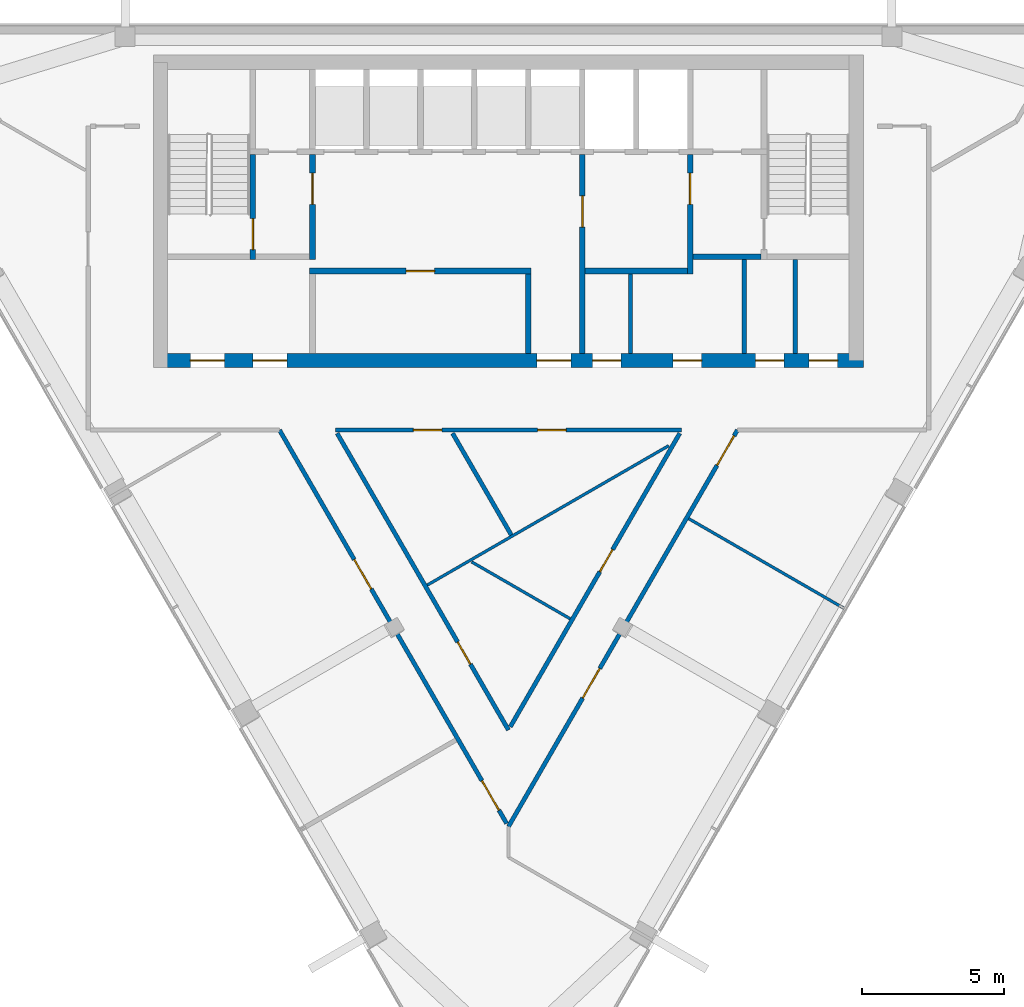
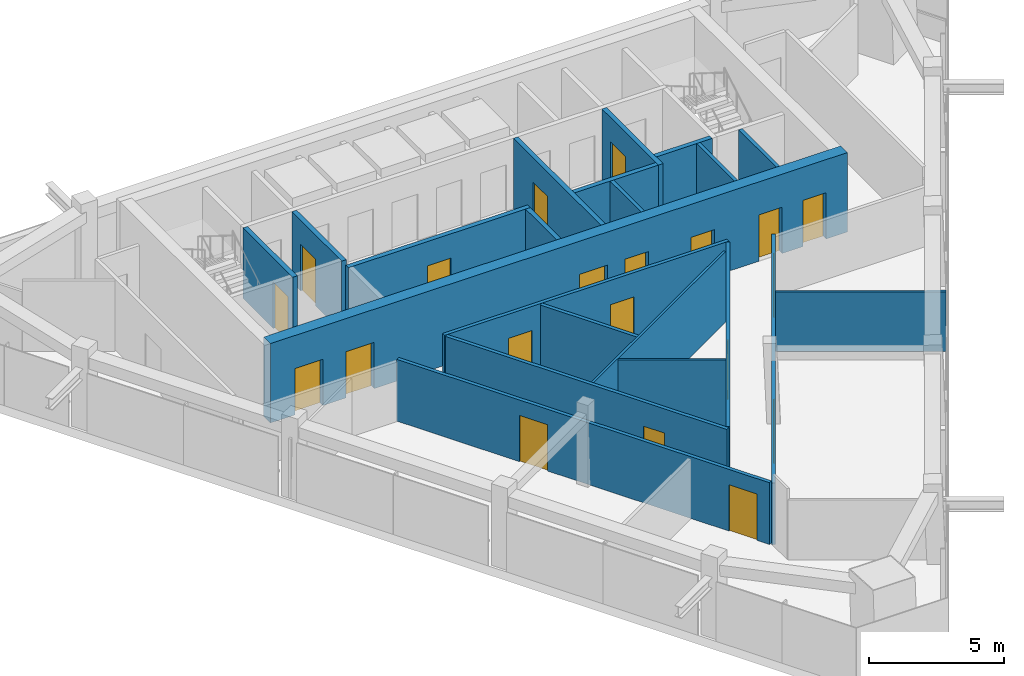
# One storey, part 6 of 9: 21 walls, 20 doors, 20 openings.
"""IFC4 building model written with IfcOpenShell, lengths in metres."""

from ifc_helpers import new_model, si_unit, direction, frame, frame_2d, origin, place, context, subcontext, project, spatial, rectangle, extrude, material, layer, layer_set, type_object, element, fill, save


model = new_model("IFC4")

# Units and contexts
model_context = context("Model", 3, precision=1e-05, world=origin(), true_north=direction((0.0, 1.0)))
body_context = subcontext(model_context, "Body", "Model", "MODEL_VIEW")
ifc_project = project(units=[si_unit("LENGTHUNIT", "METRE"), si_unit("AREAUNIT", "SQUARE_METRE"), si_unit("VOLUMEUNIT", "CUBIC_METRE"), si_unit("PLANEANGLEUNIT", "RADIAN"), si_unit("MASSUNIT", "GRAM", prefix="KILO")], contexts=[model_context])

# Site, building, storey
site_placement = place(None, origin())
site = spatial("IfcSite", under=ifc_project, at=site_placement, CompositionType="ELEMENT")
building_placement = place(site_placement, origin())
building = spatial("IfcBuilding", under=site, at=building_placement, Name="Altiplano Prism Tower", CompositionType="ELEMENT")
storey_placement = place(building_placement, frame((0.0, 0.0, 309.39990234375)))
storey = spatial("IfcBuildingStorey", under=building, at=storey_placement, Name="L80", CompositionType="ELEMENT", Elevation=309.39990234375)

# Wall, openings, doors
ifc_material_1 = material(Name="Concrete C60/75", Category="concrete")
ifc_layer_1 = layer(ifc_material_1, 0.5)
ifc_layer_set_1 = layer_set([ifc_layer_1], Name="Concrete C60/75")
wall_type_1 = type_object("IfcWallType", Name="Core wall 500", PredefinedType="SHEAR", material=ifc_layer_set_1)
wall_1_placement = place(storey_placement, frame((72.75, 93.14990234375, 0.0), z_axis=(0.0, 0.0, 1.0), x_axis=(1.0, 0.0, 0.0)))
wall_1 = element("IfcWall", 1, at=wall_1_placement, inside=storey, type_object=wall_type_1, Name="Core wall S L80", PredefinedType="SHEAR", context=body_context, shape_type="SweptSolid", body=[
    extrude(rectangle(XDim=24.75, YDim=0.5, at=frame_2d((12.375, 0.0))), origin(), (0.0, 0.0, 1.0), 3.60009765625),
])
opening_1_placement = place(wall_1_placement, frame((1.050048828125, 0.0, 0.0)))
opening_1 = element("IfcOpeningElement", 2, at=opening_1_placement, cuts=wall_1, Name="Opening D3713", PredefinedType="OPENING", context=body_context, shape_type="SweptSolid", body=[
    extrude(rectangle(XDim=1.199951171875, YDim=2.10009765625, at=frame_2d((0.60009765625, 1.050048828125))), frame((0.0, 0.260498046875, 0.0), z_axis=(0.0, -1.0, 0.0), x_axis=(1.0, 0.0, 0.0)), (0.0, 0.0, 1.0), 0.52099609375),
])
opening_2_placement = place(wall_1_placement, frame((3.25, 0.0, 0.0)))
opening_2 = element("IfcOpeningElement", 3, at=opening_2_placement, cuts=wall_1, Name="Opening D3714", PredefinedType="OPENING", context=body_context, shape_type="SweptSolid", body=[
    extrude(rectangle(XDim=1.199951171875, YDim=2.10009765625, at=frame_2d((0.60009765625, 1.050048828125))), frame((0.0, 0.260498046875, 0.0), z_axis=(0.0, -1.0, 0.0), x_axis=(1.0, 0.0, 0.0)), (0.0, 0.0, 1.0), 0.52099609375),
])
opening_3_placement = place(wall_1_placement, frame((13.25, 0.0, 0.0)))
opening_3 = element("IfcOpeningElement", 4, at=opening_3_placement, cuts=wall_1, Name="Opening D3715", PredefinedType="OPENING", context=body_context, shape_type="SweptSolid", body=[
    extrude(rectangle(XDim=1.199951171875, YDim=2.10009765625, at=frame_2d((0.60009765625, 1.050048828125))), frame((0.0, 0.260498046875, 0.0), z_axis=(0.0, -1.0, 0.0), x_axis=(1.0, 0.0, 0.0)), (0.0, 0.0, 1.0), 0.52099609375),
])
opening_4_placement = place(wall_1_placement, frame((15.21240234375, 0.0, 0.0)))
opening_4 = element("IfcOpeningElement", 5, at=opening_4_placement, cuts=wall_1, Name="Opening D3718", PredefinedType="OPENING", context=body_context, shape_type="SweptSolid", body=[
    extrude(rectangle(XDim=1.0, YDim=2.10009765625, at=frame_2d((0.5, 1.050048828125))), frame((0.0, 0.260498046875, 0.0), z_axis=(0.0, -1.0, 0.0), x_axis=(1.0, 0.0, 0.0)), (0.0, 0.0, 1.0), 0.52099609375),
])
opening_5_placement = place(wall_1_placement, frame((18.050048828125, 0.0, 0.0)))
opening_5 = element("IfcOpeningElement", 6, at=opening_5_placement, cuts=wall_1, Name="Opening D3719", PredefinedType="OPENING", context=body_context, shape_type="SweptSolid", body=[
    extrude(rectangle(XDim=1.0, YDim=2.10009765625, at=frame_2d((0.5, 1.050048828125))), frame((0.0, 0.260498046875, 0.0), z_axis=(0.0, -1.0, 0.0), x_axis=(1.0, 0.0, 0.0)), (0.0, 0.0, 1.0), 0.52099609375),
])
opening_6_placement = place(wall_1_placement, frame((20.949951171875, 0.0, 0.0)))
opening_6 = element("IfcOpeningElement", 7, at=opening_6_placement, cuts=wall_1, Name="Opening D3720", PredefinedType="OPENING", context=body_context, shape_type="SweptSolid", body=[
    extrude(rectangle(XDim=1.0, YDim=2.10009765625, at=frame_2d((0.5, 1.050048828125))), frame((0.0, 0.260498046875, 0.0), z_axis=(0.0, -1.0, 0.0), x_axis=(1.0, 0.0, 0.0)), (0.0, 0.0, 1.0), 0.52099609375),
])
opening_7_placement = place(wall_1_placement, frame((22.83740234375, 0.0, 0.0)))
opening_7 = element("IfcOpeningElement", 8, at=opening_7_placement, cuts=wall_1, Name="Opening D3721", PredefinedType="OPENING", context=body_context, shape_type="SweptSolid", body=[
    extrude(rectangle(XDim=1.0, YDim=2.10009765625, at=frame_2d((0.5, 1.050048828125))), frame((0.0, 0.260498046875, 0.0), z_axis=(0.0, -1.0, 0.0), x_axis=(1.0, 0.0, 0.0)), (0.0, 0.0, 1.0), 0.52099609375),
])
ifc_material_2 = material(Name="Fire-rated steel door", Category="steel")
door_type_1 = type_object("IfcDoorType", Name="Core room door 1000 x 2100", OperationType="NOTDEFINED", PredefinedType="NOTDEFINED", material=ifc_material_2)
door_1_placement = place(opening_4_placement, origin())
door_1 = element("IfcDoor", 9, at=door_1_placement, inside=storey, type_object=door_type_1, Name="Core room door D3718", OperationType="SINGLE_SWING_RIGHT", OverallHeight=2.10009765625, OverallWidth=1.0, PredefinedType="NOTDEFINED", context=body_context, shape_type="SweptSolid", body=[
    extrude(rectangle(XDim=1.0, YDim=2.10009765625, at=frame_2d((0.5, 1.050048828125))), frame((0.0, 0.02490234375, 0.0), z_axis=(0.0, -1.0, 0.0), x_axis=(1.0, 0.0, 0.0)), (0.0, 0.0, 1.0), 0.050048828125),
])
fill(opening_4, door_1)
door_2_placement = place(opening_5_placement, origin())
door_2 = element("IfcDoor", 10, at=door_2_placement, inside=storey, type_object=door_type_1, Name="Core room door D3719", OperationType="SINGLE_SWING_LEFT", OverallHeight=2.10009765625, OverallWidth=1.0, PredefinedType="NOTDEFINED", context=body_context, shape_type="SweptSolid", body=[
    extrude(rectangle(XDim=1.0, YDim=2.10009765625, at=frame_2d((0.5, 1.050048828125))), frame((0.0, 0.02490234375, 0.0), z_axis=(0.0, -1.0, 0.0), x_axis=(1.0, 0.0, 0.0)), (0.0, 0.0, 1.0), 0.050048828125),
])
fill(opening_5, door_2)
door_3_placement = place(opening_6_placement, origin())
door_3 = element("IfcDoor", 11, at=door_3_placement, inside=storey, type_object=door_type_1, Name="Core room door D3720", OperationType="SINGLE_SWING_RIGHT", OverallHeight=2.10009765625, OverallWidth=1.0, PredefinedType="NOTDEFINED", context=body_context, shape_type="SweptSolid", body=[
    extrude(rectangle(XDim=1.0, YDim=2.10009765625, at=frame_2d((0.5, 1.050048828125))), frame((0.0, 0.02490234375, 0.0), z_axis=(0.0, -1.0, 0.0), x_axis=(1.0, 0.0, 0.0)), (0.0, 0.0, 1.0), 0.050048828125),
])
fill(opening_6, door_3)
door_4_placement = place(opening_7_placement, origin())
door_4 = element("IfcDoor", 12, at=door_4_placement, inside=storey, type_object=door_type_1, Name="Core room door D3721", OperationType="SINGLE_SWING_LEFT", OverallHeight=2.10009765625, OverallWidth=1.0, PredefinedType="NOTDEFINED", context=body_context, shape_type="SweptSolid", body=[
    extrude(rectangle(XDim=1.0, YDim=2.10009765625, at=frame_2d((0.5, 1.050048828125))), frame((0.0, 0.02490234375, 0.0), z_axis=(0.0, -1.0, 0.0), x_axis=(1.0, 0.0, 0.0)), (0.0, 0.0, 1.0), 0.050048828125),
])
fill(opening_7, door_4)
door_type_2 = type_object("IfcDoorType", Name="Lobby fire door 1200 x 2100", OperationType="NOTDEFINED", PredefinedType="NOTDEFINED", material=ifc_material_2)
door_5_placement = place(opening_1_placement, origin())
door_5 = element("IfcDoor", 13, at=door_5_placement, inside=storey, type_object=door_type_2, Name="Lobby fire door D3713", OperationType="SINGLE_SWING_RIGHT", OverallHeight=2.10009765625, OverallWidth=1.199951171875, PredefinedType="NOTDEFINED", context=body_context, shape_type="SweptSolid", body=[
    extrude(rectangle(XDim=1.199951171875, YDim=2.10009765625, at=frame_2d((0.60009765625, 1.050048828125))), frame((0.0, 0.02490234375, 0.0), z_axis=(0.0, -1.0, 0.0), x_axis=(1.0, 0.0, 0.0)), (0.0, 0.0, 1.0), 0.050048828125),
])
fill(opening_1, door_5)
door_6_placement = place(opening_2_placement, origin())
door_6 = element("IfcDoor", 14, at=door_6_placement, inside=storey, type_object=door_type_2, Name="Lobby fire door D3714", OperationType="SINGLE_SWING_LEFT", OverallHeight=2.10009765625, OverallWidth=1.199951171875, PredefinedType="NOTDEFINED", context=body_context, shape_type="SweptSolid", body=[
    extrude(rectangle(XDim=1.199951171875, YDim=2.10009765625, at=frame_2d((0.60009765625, 1.050048828125))), frame((0.0, 0.02490234375, 0.0), z_axis=(0.0, -1.0, 0.0), x_axis=(1.0, 0.0, 0.0)), (0.0, 0.0, 1.0), 0.050048828125),
])
fill(opening_2, door_6)
door_7_placement = place(opening_3_placement, origin())
door_7 = element("IfcDoor", 15, at=door_7_placement, inside=storey, type_object=door_type_2, Name="Lobby fire door D3715", OperationType="SINGLE_SWING_RIGHT", OverallHeight=2.10009765625, OverallWidth=1.199951171875, PredefinedType="NOTDEFINED", context=body_context, shape_type="SweptSolid", body=[
    extrude(rectangle(XDim=1.199951171875, YDim=2.10009765625, at=frame_2d((0.60009765625, 1.050048828125))), frame((0.0, 0.02490234375, 0.0), z_axis=(0.0, -1.0, 0.0), x_axis=(1.0, 0.0, 0.0)), (0.0, 0.0, 1.0), 0.050048828125),
])
fill(opening_3, door_7)

# Walls
ifc_material_3 = material(Name="Plasterboard on steel stud", Category="steel")
ifc_layer_2 = layer(ifc_material_3, 0.10009765625)
ifc_layer_set_2 = layer_set([ifc_layer_2], Name="Plasterboard on steel stud")
wall_type_2 = type_object("IfcWallType", Name="Partition 100 wet", PredefinedType="PARTITIONING", material=ifc_layer_set_2)
wall_2_placement = place(storey_placement, frame((87.174560546875, 84.0546875, 0.0), z_axis=(0.0, 0.0, 1.0), x_axis=(-0.866018138487, 0.500012583653, 0.0)))
element("IfcWall", 16, at=wall_2_placement, inside=storey, type_object=wall_type_2, Name="Partition P03 L80 014", PredefinedType="PARTITIONING", context=body_context, shape_type="SweptSolid", body=[
    extrude(rectangle(XDim=4.00634765625, YDim=0.10009765625, at=frame_2d((2.003173828125, 0.0))), origin(), (0.0, 0.0, 1.0), 3.2001953125),
])
wall_3_placement = place(storey_placement, frame((90.64404296875, 90.150634765625, 0.0), z_axis=(0.0, 0.0, 1.0), x_axis=(-0.866026586771, -0.499997951001, 0.0)))
element("IfcWall", 17, at=wall_3_placement, inside=storey, type_object=wall_type_2, Name="Partition P03 L80 015", PredefinedType="PARTITIONING", context=body_context, shape_type="SweptSolid", body=[
    extrude(rectangle(XDim=9.81884765625, YDim=0.10009765625, at=frame_2d((4.909423828125, 0.0))), origin(), (0.0, 0.0, 1.0), 3.2001953125),
])
wall_4_placement = place(storey_placement, frame((96.8251953125, 84.418212890625, 0.0), z_axis=(0.0, 0.0, 1.0), x_axis=(-0.866032601554, 0.49998753289, 0.0)))
element("IfcWall", 18, at=wall_4_placement, inside=storey, type_object=wall_type_2, Name="Partition P03 L80 022", PredefinedType="PARTITIONING", context=body_context, shape_type="SweptSolid", body=[
    extrude(rectangle(XDim=6.324951171875, YDim=0.10009765625, at=frame_2d((3.16259765625, 0.0))), origin(), (0.0, 0.0, 1.0), 2.7001953125),
])

# Wall, opening, door
ifc_layer_3 = layer(ifc_material_3, 0.14990234375)
ifc_layer_set_3 = layer_set([ifc_layer_3], Name="Plasterboard on steel stud")
wall_type_3 = type_object("IfcWallType", Name="Partition 150 corridor", PredefinedType="PARTITIONING", material=ifc_layer_set_3)
wall_5_placement = place(storey_placement, frame((91.0322265625, 90.58642578125, 0.0), z_axis=(0.0, 0.0, 1.0), x_axis=(-0.499998102972, -0.866026499031, 0.0)))
wall_5 = element("IfcWall", 19, at=wall_5_placement, inside=storey, type_object=wall_type_3, Name="Partition P06 L80 001", PredefinedType="PARTITIONING", context=body_context, shape_type="SweptSolid", body=[
    extrude(rectangle(XDim=11.9345703125, YDim=0.14990234375, at=frame_2d((5.96728515625, 0.0))), origin(), (0.0, 0.0, 1.0), 3.2001953125),
])
opening_8_placement = place(wall_5_placement, frame((4.72900390625, 0.0, 0.0)))
opening_8 = element("IfcOpeningElement", 20, at=opening_8_placement, cuts=wall_5, Name="Opening D2381", PredefinedType="OPENING", context=body_context, shape_type="SweptSolid", body=[
    extrude(rectangle(XDim=0.89990234375, YDim=2.10009765625, at=frame_2d((0.449951171875, 1.050048828125))), frame((0.0, 0.08544921875, 0.0), z_axis=(0.0, -1.0, 0.0), x_axis=(1.0, 0.0, 0.0)), (0.0, 0.0, 1.0), 0.1708984375),
])
ifc_material_4 = material(Name="Timber", Category="wood")
door_type_3 = type_object("IfcDoorType", Name="Toilet door 900 x 2100", OperationType="NOTDEFINED", PredefinedType="NOTDEFINED", material=ifc_material_4)
door_8_placement = place(opening_8_placement, origin())
door_8 = element("IfcDoor", 21, at=door_8_placement, inside=storey, type_object=door_type_3, Name="Door D2381", OperationType="SINGLE_SWING_RIGHT", OverallHeight=2.10009765625, OverallWidth=0.89990234375, PredefinedType="NOTDEFINED", context=body_context, shape_type="SweptSolid", body=[
    extrude(rectangle(XDim=0.89990234375, YDim=2.10009765625, at=frame_2d((0.449951171875, 1.050048828125))), frame((0.0, 0.02490234375, 0.0), z_axis=(0.0, -1.0, 0.0), x_axis=(1.0, 0.0, 0.0)), (0.0, 0.0, 1.0), 0.050048828125),
])
fill(opening_8, door_8)

# Wall, openings, doors
wall_6_placement = place(storey_placement, frame((76.93798828125, 90.699951171875, 0.0), z_axis=(0.0, 0.0, 1.0), x_axis=(0.500006981563, -0.86602137294, 0.0)))
wall_6 = element("IfcWall", 22, at=wall_6_placement, inside=storey, type_object=wall_type_3, Name="Partition P06 L80 005", PredefinedType="PARTITIONING", context=body_context, shape_type="SweptSolid", body=[
    extrude(rectangle(XDim=15.993896484375, YDim=0.14990234375, at=frame_2d((7.9970703125, 0.0))), origin(), (0.0, 0.0, 1.0), 2.800048828125),
])
opening_9_placement = place(wall_6_placement, frame((5.264892578125, 0.0, 0.0)))
opening_9 = element("IfcOpeningElement", 23, at=opening_9_placement, cuts=wall_6, Name="Opening D2383", PredefinedType="OPENING", context=body_context, shape_type="SweptSolid", body=[
    extrude(rectangle(XDim=1.199951171875, YDim=2.10009765625, at=frame_2d((0.60009765625, 1.050048828125))), frame((0.0, 0.08544921875, 0.0), z_axis=(0.0, -1.0, 0.0), x_axis=(1.0, 0.0, 0.0)), (0.0, 0.0, 1.0), 0.1708984375),
])
opening_10_placement = place(wall_6_placement, frame((14.257080078125, 0.0, 0.0)))
opening_10 = element("IfcOpeningElement", 24, at=opening_10_placement, cuts=wall_6, Name="Opening D2384", PredefinedType="OPENING", context=body_context, shape_type="SweptSolid", body=[
    extrude(rectangle(XDim=1.199951171875, YDim=2.10009765625, at=frame_2d((0.60009765625, 1.050048828125))), frame((0.0, 0.08544921875, 0.0), z_axis=(0.0, -1.0, 0.0), x_axis=(1.0, 0.0, 0.0)), (0.0, 0.0, 1.0), 0.1708984375),
])
door_type_4 = type_object("IfcDoorType", Name="Shared room door 1200 x 2100", OperationType="NOTDEFINED", PredefinedType="NOTDEFINED", material=ifc_material_4)
door_9_placement = place(opening_9_placement, origin())
door_9 = element("IfcDoor", 25, at=door_9_placement, inside=storey, type_object=door_type_4, Name="Door D2383", OperationType="SINGLE_SWING_RIGHT", OverallHeight=2.10009765625, OverallWidth=1.199951171875, PredefinedType="NOTDEFINED", context=body_context, shape_type="SweptSolid", body=[
    extrude(rectangle(XDim=1.199951171875, YDim=2.10009765625, at=frame_2d((0.60009765625, 1.050048828125))), frame((0.0, 0.02490234375, 0.0), z_axis=(0.0, -1.0, 0.0), x_axis=(1.0, 0.0, 0.0)), (0.0, 0.0, 1.0), 0.050048828125),
])
fill(opening_9, door_9)
door_10_placement = place(opening_10_placement, origin())
door_10 = element("IfcDoor", 26, at=door_10_placement, inside=storey, type_object=door_type_4, Name="Door D2384", OperationType="SINGLE_SWING_RIGHT", OverallHeight=2.10009765625, OverallWidth=1.199951171875, PredefinedType="NOTDEFINED", context=body_context, shape_type="SweptSolid", body=[
    extrude(rectangle(XDim=1.199951171875, YDim=2.10009765625, at=frame_2d((0.60009765625, 1.050048828125))), frame((0.0, 0.02490234375, 0.0), z_axis=(0.0, -1.0, 0.0), x_axis=(1.0, 0.0, 0.0)), (0.0, 0.0, 1.0), 0.050048828125),
])
fill(opening_10, door_10)

wall_7_placement = place(storey_placement, frame((85.0, 76.736328125, 0.0), z_axis=(0.0, 0.0, 1.0), x_axis=(0.500005125646, 0.866022444471, 0.0)))
wall_7 = element("IfcWall", 27, at=wall_7_placement, inside=storey, type_object=wall_type_3, Name="Partition P06 L80 006", PredefinedType="PARTITIONING", context=body_context, shape_type="SweptSolid", body=[
    extrude(rectangle(XDim=16.123779296875, YDim=0.14990234375, at=frame_2d((8.06201171875, 0.0))), origin(), (0.0, 0.0, 1.0), 2.800048828125),
])
opening_11_placement = place(wall_7_placement, frame((5.23388671875, 0.0, 0.0)))
opening_11 = element("IfcOpeningElement", 28, at=opening_11_placement, cuts=wall_7, Name="Opening D2385", PredefinedType="OPENING", context=body_context, shape_type="SweptSolid", body=[
    extrude(rectangle(XDim=1.199951171875, YDim=2.10009765625, at=frame_2d((0.60009765625, 1.050048828125))), frame((0.0, 0.08544921875, 0.0), z_axis=(0.0, -1.0, 0.0), x_axis=(1.0, 0.0, 0.0)), (0.0, 0.0, 1.0), 0.1708984375),
])
opening_12_placement = place(wall_7_placement, frame((14.69091796875, 0.0, 0.0)))
opening_12 = element("IfcOpeningElement", 29, at=opening_12_placement, cuts=wall_7, Name="Opening D2386", PredefinedType="OPENING", context=body_context, shape_type="SweptSolid", body=[
    extrude(rectangle(XDim=1.199951171875, YDim=2.10009765625, at=frame_2d((0.60009765625, 1.050048828125))), frame((0.0, 0.08544921875, 0.0), z_axis=(0.0, -1.0, 0.0), x_axis=(1.0, 0.0, 0.0)), (0.0, 0.0, 1.0), 0.1708984375),
])
door_11_placement = place(opening_11_placement, origin())
door_11 = element("IfcDoor", 30, at=door_11_placement, inside=storey, type_object=door_type_4, Name="Door D2385", OperationType="SINGLE_SWING_LEFT", OverallHeight=2.10009765625, OverallWidth=1.199951171875, PredefinedType="NOTDEFINED", context=body_context, shape_type="SweptSolid", body=[
    extrude(rectangle(XDim=1.199951171875, YDim=2.10009765625, at=frame_2d((0.60009765625, 1.050048828125))), frame((0.0, 0.02490234375, 0.0), z_axis=(0.0, -1.0, 0.0), x_axis=(1.0, 0.0, 0.0)), (0.0, 0.0, 1.0), 0.050048828125),
])
fill(opening_11, door_11)
door_12_placement = place(opening_12_placement, origin())
door_12 = element("IfcDoor", 31, at=door_12_placement, inside=storey, type_object=door_type_4, Name="Door D2386", OperationType="SINGLE_SWING_RIGHT", OverallHeight=2.10009765625, OverallWidth=1.199951171875, PredefinedType="NOTDEFINED", context=body_context, shape_type="SweptSolid", body=[
    extrude(rectangle(XDim=1.199951171875, YDim=2.10009765625, at=frame_2d((0.60009765625, 1.050048828125))), frame((0.0, 0.02490234375, 0.0), z_axis=(0.0, -1.0, 0.0), x_axis=(1.0, 0.0, 0.0)), (0.0, 0.0, 1.0), 0.050048828125),
])
fill(opening_12, door_12)

# Wall, opening, door
wall_8_placement = place(storey_placement, frame((85.0, 80.138427734375, 0.0), z_axis=(0.0, 0.0, 1.0), x_axis=(-0.500004480819, 0.866022816767, 0.0)))
wall_8 = element("IfcWall", 32, at=wall_8_placement, inside=storey, type_object=wall_type_3, Name="Partition P06 L80 012", PredefinedType="PARTITIONING", context=body_context, shape_type="SweptSolid", body=[
    extrude(rectangle(XDim=12.064453125, YDim=0.14990234375, at=frame_2d((6.0322265625, 0.0))), origin(), (0.0, 0.0, 1.0), 3.2001953125),
])
opening_13_placement = place(wall_8_placement, frame((2.678955078125, 0.0, 0.0)))
opening_13 = element("IfcOpeningElement", 33, at=opening_13_placement, cuts=wall_8, Name="Opening D2380", PredefinedType="OPENING", context=body_context, shape_type="SweptSolid", body=[
    extrude(rectangle(XDim=0.89990234375, YDim=2.10009765625, at=frame_2d((0.449951171875, 1.050048828125))), frame((0.0, 0.08544921875, 0.0), z_axis=(0.0, -1.0, 0.0), x_axis=(1.0, 0.0, 0.0)), (0.0, 0.0, 1.0), 0.1708984375),
])
door_13_placement = place(opening_13_placement, origin())
door_13 = element("IfcDoor", 34, at=door_13_placement, inside=storey, type_object=door_type_3, Name="Door D2380", OperationType="SINGLE_SWING_RIGHT", OverallHeight=2.10009765625, OverallWidth=0.89990234375, PredefinedType="NOTDEFINED", context=body_context, shape_type="SweptSolid", body=[
    extrude(rectangle(XDim=0.89990234375, YDim=2.10009765625, at=frame_2d((0.449951171875, 1.050048828125))), frame((0.0, 0.02490234375, 0.0), z_axis=(0.0, -1.0, 0.0), x_axis=(1.0, 0.0, 0.0)), (0.0, 0.0, 1.0), 0.050048828125),
])
fill(opening_13, door_13)

# Wall, openings, doors
wall_9_placement = place(storey_placement, frame((78.90283203125, 90.698974609375, 0.0), z_axis=(0.0, 0.0, 1.0), x_axis=(1.0, 0.0, 0.0)))
wall_9 = element("IfcWall", 35, at=wall_9_placement, inside=storey, type_object=wall_type_3, Name="Partition P06 L80 013", PredefinedType="PARTITIONING", context=body_context, shape_type="SweptSolid", body=[
    extrude(rectangle(XDim=12.1943359375, YDim=0.14990234375, at=frame_2d((6.09716796875, 0.0))), origin(), (0.0, 0.0, 1.0), 3.2001953125),
])
opening_14_placement = place(wall_9_placement, frame((2.751953125, 0.0, 0.0)))
opening_14 = element("IfcOpeningElement", 36, at=opening_14_placement, cuts=wall_9, Name="Opening D2389", PredefinedType="OPENING", context=body_context, shape_type="SweptSolid", body=[
    extrude(rectangle(XDim=1.0, YDim=2.10009765625, at=frame_2d((0.5, 1.050048828125))), frame((0.0, 0.08544921875, 0.0), z_axis=(0.0, -1.0, 0.0), x_axis=(1.0, 0.0, 0.0)), (0.0, 0.0, 1.0), 0.1708984375),
])
opening_15_placement = place(wall_9_placement, frame((7.1279296875, 0.0, 0.0)))
opening_15 = element("IfcOpeningElement", 37, at=opening_15_placement, cuts=wall_9, Name="Opening D2390", PredefinedType="OPENING", context=body_context, shape_type="SweptSolid", body=[
    extrude(rectangle(XDim=1.0, YDim=2.10009765625, at=frame_2d((0.5, 1.050048828125))), frame((0.0, 0.08544921875, 0.0), z_axis=(0.0, -1.0, 0.0), x_axis=(1.0, 0.0, 0.0)), (0.0, 0.0, 1.0), 0.1708984375),
])
door_type_5 = type_object("IfcDoorType", Name="Room door 1000 x 2100", OperationType="NOTDEFINED", PredefinedType="NOTDEFINED", material=ifc_material_4)
door_14_placement = place(opening_14_placement, origin())
door_14 = element("IfcDoor", 38, at=door_14_placement, inside=storey, type_object=door_type_5, Name="Door D2389", OperationType="SINGLE_SWING_LEFT", OverallHeight=2.10009765625, OverallWidth=1.0, PredefinedType="NOTDEFINED", context=body_context, shape_type="SweptSolid", body=[
    extrude(rectangle(XDim=1.0, YDim=2.10009765625, at=frame_2d((0.5, 1.050048828125))), frame((0.0, 0.02490234375, 0.0), z_axis=(0.0, -1.0, 0.0), x_axis=(1.0, 0.0, 0.0)), (0.0, 0.0, 1.0), 0.050048828125),
])
fill(opening_14, door_14)
door_type_6 = type_object("IfcDoorType", Name="Store door 1000 x 2100", OperationType="NOTDEFINED", PredefinedType="NOTDEFINED", material=ifc_material_4)
door_15_placement = place(opening_15_placement, origin())
door_15 = element("IfcDoor", 39, at=door_15_placement, inside=storey, type_object=door_type_6, Name="Door D2390", OperationType="SINGLE_SWING_LEFT", OverallHeight=2.10009765625, OverallWidth=1.0, PredefinedType="NOTDEFINED", context=body_context, shape_type="SweptSolid", body=[
    extrude(rectangle(XDim=1.0, YDim=2.10009765625, at=frame_2d((0.5, 1.050048828125))), frame((0.0, 0.02490234375, 0.0), z_axis=(0.0, -1.0, 0.0), x_axis=(1.0, 0.0, 0.0)), (0.0, 0.0, 1.0), 0.050048828125),
])
fill(opening_15, door_15)

# Walls
ifc_layer_4 = layer(ifc_material_3, 0.14990234375)
ifc_layer_set_4 = layer_set([ifc_layer_4], Name="Plasterboard on steel stud")
wall_type_4 = type_object("IfcWallType", Name="Partition 150 party", PredefinedType="PARTITIONING", material=ifc_layer_set_4)
wall_10_placement = place(storey_placement, frame((85.099365234375, 87.007080078125, 0.0), z_axis=(0.0, 0.0, 1.0), x_axis=(-0.500020720004, 0.866013440754, 0.0)))
element("IfcWall", 40, at=wall_10_placement, inside=storey, type_object=wall_type_4, Name="Partition P01 L80 025", PredefinedType="PARTITIONING", context=body_context, shape_type="SweptSolid", body=[
    extrude(rectangle(XDim=4.133056640625, YDim=0.14990234375, at=frame_2d((2.06640625, 0.0))), origin(), (0.0, 0.0, 1.0), 3.2001953125),
])
ifc_material_5 = material(Name="Fire-rated gypsum board partition")
ifc_layer_5 = layer(ifc_material_5, 0.14990234375)
ifc_layer_set_5 = layer_set([ifc_layer_5], Name="Fire-rated gypsum board partition")
wall_type_5 = type_object("IfcWallType", Name="Room partition 150", PredefinedType="PARTITIONING", material=ifc_layer_set_5)
wall_11_placement = place(storey_placement, frame((89.300048828125, 93.39990234375, 0.0), z_axis=(0.0, 0.0, 1.0), x_axis=(0.0, 1.0, 0.0)))
element("IfcWall", 41, at=wall_11_placement, inside=storey, type_object=wall_type_5, Name="Room partition L80", PredefinedType="PARTITIONING", context=body_context, shape_type="SweptSolid", body=[
    extrude(rectangle(XDim=2.800048828125, YDim=0.14990234375, at=frame_2d((1.39990234375, 0.0))), origin(), (0.0, 0.0, 1.0), 3.2001953125),
])
for number, where, z_axis, x_axis, name in (
    (42, (93.300048828125, 93.39990234375, 0.0), (0.0, 0.0, 1.0), (0.0, 1.0, 0.0), "Room partition L80"),
    (43, (95.10009765625, 93.39990234375, 0.0), (0.0, 0.0, 1.0), (0.0, 1.0, 0.0), "Room partition L80"),
):
    element("IfcWall", number, at=place(storey_placement, frame(where, z_axis=z_axis, x_axis=x_axis)), inside=storey, type_object=wall_type_5, Name=name, PredefinedType="PARTITIONING", context=body_context, shape_type="SweptSolid", body=[
        extrude(rectangle(XDim=3.300048828125, YDim=0.14990234375, at=frame_2d((1.64990234375, 0.0))), origin(), (0.0, 0.0, 1.0), 3.2001953125),
    ])

# Wall, opening, door
ifc_layer_6 = layer(ifc_material_1, 0.199951171875)
ifc_layer_set_6 = layer_set([ifc_layer_6], Name="Concrete C60/75")
wall_type_6 = type_object("IfcWallType", Name="Stair wall 200", PredefinedType="SOLIDWALL", material=ifc_layer_set_6)
wall_12_placement = place(storey_placement, frame((76.0, 96.699951171875, 0.0), z_axis=(0.0, 0.0, 1.0), x_axis=(0.0, 1.0, 0.0)))
wall_12 = element("IfcWall", 44, at=wall_12_placement, inside=storey, type_object=wall_type_6, Name="Stair wall L80", PredefinedType="SOLIDWALL", context=body_context, shape_type="SweptSolid", body=[
    extrude(rectangle(XDim=3.699951171875, YDim=0.199951171875, at=frame_2d((1.85009765625, 0.0))), origin(), (0.0, 0.0, 1.0), 3.2001953125),
])
opening_16_placement = place(wall_12_placement, frame((0.35009765625, 0.0, 0.0)))
opening_16 = element("IfcOpeningElement", 45, at=opening_16_placement, cuts=wall_12, Name="Opening D3708", PredefinedType="OPENING", context=body_context, shape_type="SweptSolid", body=[
    extrude(rectangle(XDim=1.10009765625, YDim=2.10009765625, at=frame_2d((0.550048828125, 1.050048828125))), frame((0.0, 0.1103515625, 0.0), z_axis=(0.0, -1.0, 0.0), x_axis=(1.0, 0.0, 0.0)), (0.0, 0.0, 1.0), 0.220947265625),
])
door_type_7 = type_object("IfcDoorType", Name="Stair fire door 1100 x 2100", OperationType="NOTDEFINED", PredefinedType="NOTDEFINED", material=ifc_material_2)
door_16_placement = place(opening_16_placement, origin())
door_16 = element("IfcDoor", 46, at=door_16_placement, inside=storey, type_object=door_type_7, Name="Stair fire door D3708", OperationType="SINGLE_SWING_RIGHT", OverallHeight=2.10009765625, OverallWidth=1.10009765625, PredefinedType="NOTDEFINED", context=body_context, shape_type="SweptSolid", body=[
    extrude(rectangle(XDim=1.10009765625, YDim=2.10009765625, at=frame_2d((0.550048828125, 1.050048828125))), frame((0.0, 0.02490234375, 0.0), z_axis=(0.0, -1.0, 0.0), x_axis=(1.0, 0.0, 0.0)), (0.0, 0.0, 1.0), 0.050048828125),
])
fill(opening_16, door_16)

# Wall
ifc_layer_7 = layer(ifc_material_1, 0.199951171875)
ifc_layer_set_7 = layer_set([ifc_layer_7], Name="Concrete C60/75")
wall_type_7 = type_object("IfcWallType", Name="Vestibule wall 200", PredefinedType="PARTITIONING", material=ifc_layer_set_7)
wall_13_placement = place(storey_placement, frame((85.699951171875, 93.39990234375, 0.0), z_axis=(0.0, 0.0, 1.0), x_axis=(0.0, 1.0, 0.0)))
element("IfcWall", 47, at=wall_13_placement, inside=storey, type_object=wall_type_7, Name="Vestibule wall L80", PredefinedType="PARTITIONING", context=body_context, shape_type="SweptSolid", body=[
    extrude(rectangle(XDim=2.800048828125, YDim=0.199951171875, at=frame_2d((1.39990234375, 0.0))), origin(), (0.0, 0.0, 1.0), 3.2001953125),
])

# Wall, opening, door
wall_14_placement = place(storey_placement, frame((87.60009765625, 93.39990234375, 0.0), z_axis=(0.0, 0.0, 1.0), x_axis=(0.0, 1.0, 0.0)))
wall_14 = element("IfcWall", 48, at=wall_14_placement, inside=storey, type_object=wall_type_7, Name="Vestibule wall L80", PredefinedType="PARTITIONING", context=body_context, shape_type="SweptSolid", body=[
    extrude(rectangle(XDim=7.0, YDim=0.199951171875, at=frame_2d((3.5, 0.0))), origin(), (0.0, 0.0, 1.0), 3.2001953125),
])
opening_17_placement = place(wall_14_placement, frame((4.449951171875, 0.0, 0.0)))
opening_17 = element("IfcOpeningElement", 49, at=opening_17_placement, cuts=wall_14, Name="Opening D3711", PredefinedType="OPENING", context=body_context, shape_type="SweptSolid", body=[
    extrude(rectangle(XDim=1.10009765625, YDim=2.10009765625, at=frame_2d((0.550048828125, 1.050048828125))), frame((0.0, 0.1103515625, 0.0), z_axis=(0.0, -1.0, 0.0), x_axis=(1.0, 0.0, 0.0)), (0.0, 0.0, 1.0), 0.220947265625),
])
door_type_8 = type_object("IfcDoorType", Name="Vestibule fire door 1100 x 2100", OperationType="NOTDEFINED", PredefinedType="NOTDEFINED", material=ifc_material_2)
door_17_placement = place(opening_17_placement, origin())
door_17 = element("IfcDoor", 50, at=door_17_placement, inside=storey, type_object=door_type_8, Name="Vestibule fire door D3711", OperationType="SINGLE_SWING_RIGHT", OverallHeight=2.10009765625, OverallWidth=1.10009765625, PredefinedType="NOTDEFINED", context=body_context, shape_type="SweptSolid", body=[
    extrude(rectangle(XDim=1.10009765625, YDim=2.10009765625, at=frame_2d((0.550048828125, 1.050048828125))), frame((0.0, 0.02490234375, 0.0), z_axis=(0.0, -1.0, 0.0), x_axis=(1.0, 0.0, 0.0)), (0.0, 0.0, 1.0), 0.050048828125),
])
fill(opening_17, door_17)

wall_15_placement = place(storey_placement, frame((78.0, 96.300048828125, 0.0), z_axis=(0.0, 0.0, 1.0), x_axis=(1.0, 0.0, 0.0)))
wall_15 = element("IfcWall", 51, at=wall_15_placement, inside=storey, type_object=wall_type_7, Name="Vestibule wall L80", PredefinedType="PARTITIONING", context=body_context, shape_type="SweptSolid", body=[
    extrude(rectangle(XDim=7.800048828125, YDim=0.199951171875, at=frame_2d((3.89990234375, 0.0))), origin(), (0.0, 0.0, 1.0), 3.2001953125),
])
opening_18_placement = place(wall_15_placement, frame((3.39990234375, 0.0, 0.0)))
opening_18 = element("IfcOpeningElement", 52, at=opening_18_placement, cuts=wall_15, Name="Opening D3722", PredefinedType="OPENING", context=body_context, shape_type="SweptSolid", body=[
    extrude(rectangle(XDim=1.0, YDim=2.10009765625, at=frame_2d((0.5, 1.050048828125))), frame((0.0, 0.1103515625, 0.0), z_axis=(0.0, -1.0, 0.0), x_axis=(1.0, 0.0, 0.0)), (0.0, 0.0, 1.0), 0.220947265625),
])
door_18_placement = place(opening_18_placement, origin())
door_18 = element("IfcDoor", 53, at=door_18_placement, inside=storey, type_object=door_type_1, Name="Core room door D3722", OperationType="SINGLE_SWING_RIGHT", OverallHeight=2.10009765625, OverallWidth=1.0, PredefinedType="NOTDEFINED", context=body_context, shape_type="SweptSolid", body=[
    extrude(rectangle(XDim=1.0, YDim=2.10009765625, at=frame_2d((0.5, 1.050048828125))), frame((0.0, 0.02490234375, 0.0), z_axis=(0.0, -1.0, 0.0), x_axis=(1.0, 0.0, 0.0)), (0.0, 0.0, 1.0), 0.050048828125),
])
fill(opening_18, door_18)

# Wall
wall_16_placement = place(storey_placement, frame((87.699951171875, 96.300048828125, 0.0), z_axis=(0.0, 0.0, 1.0), x_axis=(1.0, 0.0, 0.0)))
element("IfcWall", 54, at=wall_16_placement, inside=storey, type_object=wall_type_7, Name="Vestibule wall L80", PredefinedType="PARTITIONING", context=body_context, shape_type="SweptSolid", body=[
    extrude(rectangle(XDim=3.60009765625, YDim=0.199951171875, at=frame_2d((1.800048828125, 0.0))), origin(), (0.0, 0.0, 1.0), 3.2001953125),
])

# Wall, opening, door
wall_17_placement = place(storey_placement, frame((91.39990234375, 96.199951171875, 0.0), z_axis=(0.0, 0.0, 1.0), x_axis=(0.0, 1.0, 0.0)))
wall_17 = element("IfcWall", 55, at=wall_17_placement, inside=storey, type_object=wall_type_7, Name="Vestibule wall L80", PredefinedType="PARTITIONING", context=body_context, shape_type="SweptSolid", body=[
    extrude(rectangle(XDim=4.199951171875, YDim=0.199951171875, at=frame_2d((2.10009765625, 0.0))), origin(), (0.0, 0.0, 1.0), 3.2001953125),
])
opening_19_placement = place(wall_17_placement, frame((2.449951171875, 0.0, 0.0)))
opening_19 = element("IfcOpeningElement", 56, at=opening_19_placement, cuts=wall_17, Name="Opening D3712", PredefinedType="OPENING", context=body_context, shape_type="SweptSolid", body=[
    extrude(rectangle(XDim=1.10009765625, YDim=2.10009765625, at=frame_2d((0.550048828125, 1.050048828125))), frame((0.0, 0.1103515625, 0.0), z_axis=(0.0, -1.0, 0.0), x_axis=(1.0, 0.0, 0.0)), (0.0, 0.0, 1.0), 0.220947265625),
])
door_19_placement = place(opening_19_placement, origin())
door_19 = element("IfcDoor", 57, at=door_19_placement, inside=storey, type_object=door_type_8, Name="Vestibule fire door D3712", OperationType="SINGLE_SWING_LEFT", OverallHeight=2.10009765625, OverallWidth=1.10009765625, PredefinedType="NOTDEFINED", context=body_context, shape_type="SweptSolid", body=[
    extrude(rectangle(XDim=1.10009765625, YDim=2.10009765625, at=frame_2d((0.550048828125, 1.050048828125))), frame((0.0, 0.02490234375, 0.0), z_axis=(0.0, -1.0, 0.0), x_axis=(1.0, 0.0, 0.0)), (0.0, 0.0, 1.0), 0.050048828125),
])
fill(opening_19, door_19)

wall_18_placement = place(storey_placement, frame((78.10009765625, 96.699951171875, 0.0), z_axis=(0.0, 0.0, 1.0), x_axis=(0.0, 1.0, 0.0)))
wall_18 = element("IfcWall", 58, at=wall_18_placement, inside=storey, type_object=wall_type_7, Name="Vestibule wall L80", PredefinedType="PARTITIONING", context=body_context, shape_type="SweptSolid", body=[
    extrude(rectangle(XDim=3.699951171875, YDim=0.199951171875, at=frame_2d((1.85009765625, 0.0))), origin(), (0.0, 0.0, 1.0), 3.2001953125),
])
opening_20_placement = place(wall_18_placement, frame((1.949951171875, 0.0, 0.0)))
opening_20 = element("IfcOpeningElement", 59, at=opening_20_placement, cuts=wall_18, Name="Opening D3710", PredefinedType="OPENING", context=body_context, shape_type="SweptSolid", body=[
    extrude(rectangle(XDim=1.10009765625, YDim=2.10009765625, at=frame_2d((0.550048828125, 1.050048828125))), frame((0.0, 0.1103515625, 0.0), z_axis=(0.0, -1.0, 0.0), x_axis=(1.0, 0.0, 0.0)), (0.0, 0.0, 1.0), 0.220947265625),
])
door_20_placement = place(opening_20_placement, origin())
door_20 = element("IfcDoor", 60, at=door_20_placement, inside=storey, type_object=door_type_8, Name="Vestibule fire door D3710", OperationType="SINGLE_SWING_LEFT", OverallHeight=2.10009765625, OverallWidth=1.10009765625, PredefinedType="NOTDEFINED", context=body_context, shape_type="SweptSolid", body=[
    extrude(rectangle(XDim=1.10009765625, YDim=2.10009765625, at=frame_2d((0.550048828125, 1.050048828125))), frame((0.0, 0.02490234375, 0.0), z_axis=(0.0, -1.0, 0.0), x_axis=(1.0, 0.0, 0.0)), (0.0, 0.0, 1.0), 0.050048828125),
])
fill(opening_20, door_20)

# Wall
wall_19_placement = place(storey_placement, frame((91.5, 96.800048828125, 0.0), z_axis=(0.0, 0.0, 1.0), x_axis=(1.0, 0.0, 0.0)))
element("IfcWall", 61, at=wall_19_placement, inside=storey, type_object=wall_type_7, Name="Vestibule wall L80", PredefinedType="PARTITIONING", context=body_context, shape_type="SweptSolid", body=[
    extrude(rectangle(XDim=2.39990234375, YDim=0.199951171875, at=frame_2d((1.199951171875, 0.0))), origin(), (0.0, 0.0, 1.0), 3.2001953125),
])

save(model, "model.ifc")
